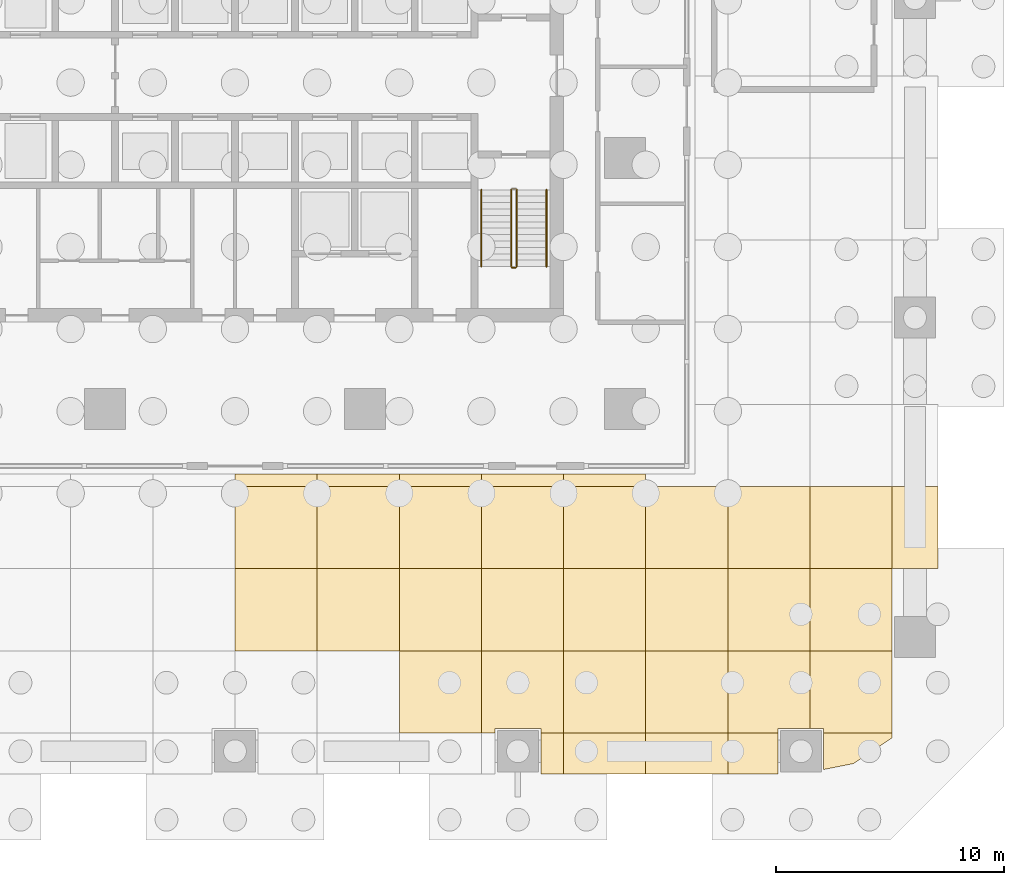
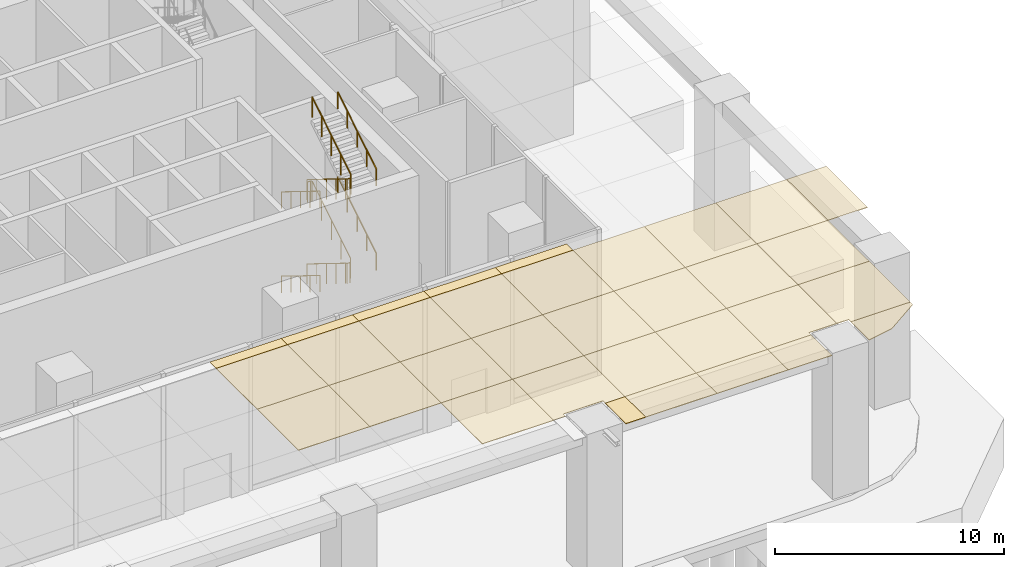
# One storey, part 13 of 18: 33 coverings, 8 railings.
"""IFC4 building model written with IfcOpenShell, lengths in metres."""

import ifcopenshell
import ifcopenshell.guid

model = None  # the IFC model being written
_history = None  # IfcOwnerHistory: only IFC2X3 demands one
_inside = {}  # id of a spatial element -> (the spatial element, [elements in it])
_under = {}  # id of a project, library or spatial element -> (it, [spatial elements below it])
_declared = {}  # id of a project -> (the project, [libraries it declares])
_typed = {}  # id of a type object -> (the type object, [elements of that type])
_made_of = {}  # id of a material, layer set ... -> (it, [elements and type objects made of it])


def new_model(schema):
    """Start an empty IFC model of exactly this schema.

    Asked for "IFC4X3", IfcOpenShell would pick the latest addendum, in which some entities
    have other attributes; the version numbers below select the first issue.
    IFC2X3 requires an IfcOwnerHistory on every rooted entity: one is made here for all.
    """
    global model, _history
    if schema == "IFC4X3":
        model = ifcopenshell.file(schema_version=(4, 3, 0, 0))
    else:
        model = ifcopenshell.file(schema=schema)
    _inside.clear()
    _under.clear()
    _declared.clear()
    _typed.clear()
    _made_of.clear()
    _history = None
    if model.schema == "IFC2X3":
        org = make("IfcOrganization", Name="unknown")
        user = make(
            "IfcPersonAndOrganization",
            ThePerson=make("IfcPerson", FamilyName="unknown"),
            TheOrganization=org,
        )
        app = make(
            "IfcApplication",
            ApplicationDeveloper=org,
            Version="unknown",
            ApplicationFullName="unknown",
            ApplicationIdentifier="unknown",
        )
        _history = make(
            "IfcOwnerHistory",
            OwningUser=user,
            OwningApplication=app,
            ChangeAction="ADDED",
            CreationDate=0,
        )
    return model


def make(cls, **values):
    """One entity of the class cls with the attributes given. An attribute that is None is left unset."""
    return model.create_entity(
        cls, **{name: value for name, value in values.items() if value is not None}
    )


def rooted(cls, **values):
    """An entity with a GlobalId (a new one), such as an element, a storey or a relation."""
    return make(cls, GlobalId=ifcopenshell.guid.new(), OwnerHistory=_history, **values)


def si_unit(unit_type, name, prefix=None):
    """IfcSIUnit, for example si_unit("LENGTHUNIT", "METRE", prefix="MILLI")."""
    return make("IfcSIUnit", UnitType=unit_type, Prefix=prefix, Name=name)


def assignment(units):
    """IfcUnitAssignment: the units of a project."""
    return None if units is None else make("IfcUnitAssignment", Units=units)


def point(xyz):
    """IfcCartesianPoint."""
    return None if xyz is None else make("IfcCartesianPoint", Coordinates=xyz)


def direction(xyz):
    """IfcDirection."""
    return None if xyz is None else make("IfcDirection", DirectionRatios=xyz)


def frame(location, z_axis=None, x_axis=None):
    """IfcAxis2Placement3D, a coordinate frame: its origin and axes. An axis left out is left unset."""
    return make(
        "IfcAxis2Placement3D",
        Location=point(location),
        Axis=direction(z_axis),
        RefDirection=direction(x_axis),
    )


def frame_2d(location, x_axis=None):
    """IfcAxis2Placement2D, a coordinate frame in the plane: its origin and x axis."""
    return make(
        "IfcAxis2Placement2D", Location=point(location), RefDirection=direction(x_axis)
    )


def origin():
    """The frame at (0, 0, 0) with its axes left unset."""
    return frame((0.0, 0.0, 0.0))


def origin_2d():
    """The frame at (0, 0) in the plane with its x axis left unset."""
    return frame_2d((0.0, 0.0))


def place(relative_to, where):
    """IfcLocalPlacement: puts the frame where relative to a parent placement (None: the world)."""
    return make(
        "IfcLocalPlacement", PlacementRelTo=relative_to, RelativePlacement=where
    )


def context(
    kind, dimensions, precision=None, world=None, true_north=None, identifier=None
):
    """IfcGeometricRepresentationContext, for example the 3D "Model" context."""
    return make(
        "IfcGeometricRepresentationContext",
        ContextIdentifier=identifier,
        ContextType=kind,
        CoordinateSpaceDimension=dimensions,
        Precision=precision,
        WorldCoordinateSystem=world,
        TrueNorth=true_north,
    )


def subcontext(parent, identifier, kind, view, scale=None):
    """IfcGeometricRepresentationSubContext, for example "Body" below "Model"."""
    return make(
        "IfcGeometricRepresentationSubContext",
        ContextIdentifier=identifier,
        ContextType=kind,
        ParentContext=parent,
        TargetScale=scale,
        TargetView=view,
    )


def project(units=None, contexts=None):
    """IfcProject with its units and contexts."""
    return rooted(
        "IfcProject",
        Name="project",
        RepresentationContexts=contexts,
        UnitsInContext=assignment(units),
    )


def spatial(cls, under=None, at=None, **own):
    """A site, building, storey or space (cls), placed at a placement, below another one or the project."""
    s = rooted(cls, ObjectPlacement=at, **own)
    if under is not None:
        _under.setdefault(under.id(), (under, []))[1].append(s)
    return s


def polyline(points):
    """IfcPolyline through the points."""
    return make("IfcPolyline", Points=[point(p) for p in points])


def profile(cls, at=None, kind="AREA", **sizes):
    """A parametric profile (cls). Its sizes go by their IFC names, for example OverallWidth=200.0."""
    return make(cls, ProfileType=kind, Position=at, **sizes)


def circle(**sizes):
    """IfcCircleProfileDef."""
    return profile("IfcCircleProfileDef", **sizes)


def outline(outer, holes=None, kind="AREA"):
    """IfcArbitraryClosedProfileDef: a profile drawn as a closed curve; with holes, ...WithVoids."""
    if holes is None:
        return make("IfcArbitraryClosedProfileDef", ProfileType=kind, OuterCurve=outer)
    return make(
        "IfcArbitraryProfileDefWithVoids",
        ProfileType=kind,
        OuterCurve=outer,
        InnerCurves=holes,
    )


def extrude(swept, where, along, depth):
    """IfcExtrudedAreaSolid: the profile swept, set in the frame where, extruded along a direction by depth."""
    return make(
        "IfcExtrudedAreaSolid",
        SweptArea=swept,
        Position=where,
        ExtrudedDirection=direction(along),
        Depth=depth,
    )


def shape(context_of_items, identifier, shape_type, items):
    """IfcShapeRepresentation: the items that make up one representation, for example the "Body"."""
    return make(
        "IfcShapeRepresentation",
        ContextOfItems=context_of_items,
        RepresentationIdentifier=identifier,
        RepresentationType=shape_type,
        Items=items,
    )


def material(Name=None, Category=None):
    """IfcMaterial."""
    return make("IfcMaterial", Name=Name, Category=Category)


def layer(
    of_material, thickness, ventilated=None, Name=None, Category=None, Priority=None
):
    """IfcMaterialLayer: one layer of a wall or slab, of a material (None: an air gap)."""
    return make(
        "IfcMaterialLayer",
        Material=of_material,
        LayerThickness=thickness,
        IsVentilated=ventilated,
        Name=Name,
        Category=Category,
        Priority=Priority,
    )


def layer_set(layers, Name=None):
    """IfcMaterialLayerSet."""
    return make("IfcMaterialLayerSet", MaterialLayers=layers, LayerSetName=Name)


def made_of(thing, what):
    """Note that an element or type object is made of a material, layer set ...; save() writes the relation."""
    if what is not None:
        _made_of.setdefault(what.id(), (what, []))[1].append(thing)
    return thing


def type_object(cls, material=None, **own):
    """A type object (cls), such as IfcWallType, which elements share."""
    return made_of(rooted(cls, **own), material)


def element(
    cls,
    number,
    at=None,
    inside=None,
    cuts=None,
    type_object=None,
    material=None,
    context=None,
    identifier="Body",
    shape_type=None,
    held_by="IfcProductDefinitionShape",
    body=None,
    shapes=None,
    **own,
):
    """One element of the class cls, such as IfcWall. Its Tag is "e" and its number.

    at: its placement. inside: the storey or other place that contains it. cuts: it is an
    opening in that element (IfcRelVoidsElement). A single representation is given by context,
    identifier, shape_type and body (its items); several are given by shapes. held_by: the class
    of the entity that holds the representations. save() writes the other relations.
    """
    e = rooted(cls, Tag="e%d" % number, ObjectPlacement=at, **own)
    if body is not None:
        shapes = [shape(context, identifier, shape_type, body)]
    if shapes is not None:
        e.Representation = make(held_by, Representations=shapes)
    if inside is not None:
        _inside.setdefault(inside.id(), (inside, []))[1].append(e)
    if cuts is not None:
        rooted(
            "IfcRelVoidsElement", RelatingBuildingElement=cuts, RelatedOpeningElement=e
        )
    if type_object is not None:
        _typed.setdefault(type_object.id(), (type_object, []))[1].append(e)
    return made_of(e, material)


def aggregate(whole, parts):
    """IfcRelAggregates: a whole, such as a stair, and the parts it consists of."""
    return rooted("IfcRelAggregates", RelatingObject=whole, RelatedObjects=parts)


def save(model, path):
    """Write the relations noted so far, then the file.

    IfcRelAggregates (storeys below a building ...), IfcRelContainedInSpatialStructure (elements
    in a storey), IfcRelDefinesByType, IfcRelAssociatesMaterial and IfcRelDeclares: one each for
    every whole, place, type object, material and project.
    """
    for whole, parts in _under.values():
        aggregate(whole, parts)
    for where, things in _inside.values():
        rooted(
            "IfcRelContainedInSpatialStructure",
            RelatedElements=things,
            RelatingStructure=where,
        )
    for kind, things in _typed.values():
        rooted("IfcRelDefinesByType", RelatedObjects=things, RelatingType=kind)
    for what, things in _made_of.values():
        rooted("IfcRelAssociatesMaterial", RelatedObjects=things, RelatingMaterial=what)
    for by, libraries in _declared.values():
        rooted("IfcRelDeclares", RelatingContext=by, RelatedDefinitions=libraries)
    model.write(path)


model = new_model("IFC4")

# Units and contexts
model_context = context("Model", 3, precision=1e-05, world=origin(), true_north=direction((0.0, 1.0)))
body_context = subcontext(model_context, "Body", "Model", "MODEL_VIEW")
ifc_project = project(units=[si_unit("LENGTHUNIT", "METRE"), si_unit("AREAUNIT", "SQUARE_METRE"), si_unit("VOLUMEUNIT", "CUBIC_METRE"), si_unit("PLANEANGLEUNIT", "RADIAN"), si_unit("MASSUNIT", "GRAM", prefix="KILO")], contexts=[model_context])

# Site, building, storey
site_placement = place(None, origin())
site = spatial("IfcSite", under=ifc_project, at=site_placement, CompositionType="ELEMENT")
building_placement = place(site_placement, origin())
building = spatial("IfcBuilding", under=site, at=building_placement, Name="Mopane Tessera Tower", CompositionType="ELEMENT")
storey_placement = place(building_placement, origin())
storey = spatial("IfcBuildingStorey", under=building, at=storey_placement, Name="L00", CompositionType="ELEMENT", Elevation=0.0)

# Railings
ifc_material_1 = material(Name="Powder-coated steel balustrade", Category="steel")
railing_type_1 = type_object("IfcRailingType", Name="Escape stair guard 1100 mm", PredefinedType="GUARDRAIL", material=ifc_material_1)
railing_1_placement = place(storey_placement, frame((12.10009765625, -1.39990234375, 0.173095703125)))
element("IfcRailing", 1, at=railing_1_placement, inside=storey, type_object=railing_type_1, Name="L00 ST3 stair guard 1", PredefinedType="GUARDRAIL", context=body_context, shape_type="SweptSolid", body=[
    extrude(circle(Radius=0.02392578125, at=origin_2d()), frame((0.0, 0.0, 1.076171875), z_axis=(0.0, -0.850623216509, 0.525775754039), x_axis=(1.0, 0.0, 0.0)), (0.0, 0.0, 1.0), 3.9501953125),
    extrude(circle(Radius=0.02392578125, at=origin_2d()), frame((0.0, -3.360107421875, 3.15283203125), z_axis=(0.705375805398, -0.708833529934, 0.0), x_axis=(0.708833529934, 0.705375805398, 0.0)), (0.0, 0.0, 1.0), 0.070556640625),
    extrude(circle(Radius=0.02392578125, at=origin_2d()), frame((0.0498046875, -3.41015625, 3.15283203125), z_axis=(1.0, 0.0, 0.0), x_axis=(0.0, 1.0, 0.0)), (0.0, 0.0, 1.0), 0.150146484375),
    extrude(circle(Radius=0.02099609375, at=origin_2d()), origin(), (0.0, 0.0, 1.0), 1.052001953125),
    extrude(circle(Radius=0.02099609375, at=origin_2d()), frame((0.0, -0.840087890625, 0.519287109375)), (0.0, 0.0, 1.0), 1.052001953125),
    extrude(circle(Radius=0.02099609375, at=origin_2d()), frame((0.0, -1.68017578125, 1.03857421875)), (0.0, 0.0, 1.0), 1.052001953125),
    extrude(circle(Radius=0.02099609375, at=origin_2d()), frame((0.0, -2.52001953125, 1.5576171875)), (0.0, 0.0, 1.0), 1.052001953125),
    extrude(circle(Radius=0.02099609375, at=origin_2d()), frame((0.0, -3.360107421875, 2.076904296875)), (0.0, 0.0, 1.0), 1.052001953125),
    extrude(circle(Radius=0.02099609375, at=origin_2d()), frame((0.0498046875, -3.41015625, 2.076904296875)), (0.0, 0.0, 1.0), 1.052001953125),
    extrude(circle(Radius=0.02099609375, at=origin_2d()), frame((0.199951171875, -3.41015625, 2.076904296875)), (0.0, 0.0, 1.0), 1.052001953125),
])
railing_2_placement = place(storey_placement, frame((12.35009765625, -4.760009765625, 2.423095703125)))
element("IfcRailing", 2, at=railing_2_placement, inside=storey, type_object=railing_type_1, Name="L00 ST3 stair guard 2", PredefinedType="GUARDRAIL", context=body_context, shape_type="SweptSolid", body=[
    extrude(circle(Radius=0.02392578125, at=origin_2d()), frame((0.0, 0.0, 1.076171875), z_axis=(0.0, 0.850623216509, 0.525775754039), x_axis=(-1.0, 0.0, 0.0)), (0.0, 0.0, 1.0), 3.9501953125),
    extrude(circle(Radius=0.02392578125, at=origin_2d()), frame((0.0, 3.360107421875, 3.15283203125), z_axis=(-0.708833529934, 0.705375805398, 0.0), x_axis=(-0.705375805398, -0.708833529934, 0.0)), (0.0, 0.0, 1.0), 0.070556640625),
    extrude(circle(Radius=0.02392578125, at=origin_2d()), frame((-0.050048828125, 3.409912109375, 3.15283203125), z_axis=(-1.0, 0.0, 0.0), x_axis=(0.0, -1.0, 0.0)), (0.0, 0.0, 1.0), 0.150146484375),
    extrude(circle(Radius=0.02099609375, at=origin_2d()), origin(), (0.0, 0.0, 1.0), 1.052001953125),
    extrude(circle(Radius=0.02099609375, at=origin_2d()), frame((0.0, 0.840087890625, 0.519287109375)), (0.0, 0.0, 1.0), 1.052001953125),
    extrude(circle(Radius=0.02099609375, at=origin_2d()), frame((0.0, 1.68017578125, 1.03857421875)), (0.0, 0.0, 1.0), 1.052001953125),
    extrude(circle(Radius=0.02099609375, at=origin_2d()), frame((0.0, 2.52001953125, 1.5576171875)), (0.0, 0.0, 1.0), 1.052001953125),
    extrude(circle(Radius=0.02099609375, at=origin_2d()), frame((0.0, 3.360107421875, 2.076904296875)), (0.0, 0.0, 1.0), 1.052001953125),
    extrude(circle(Radius=0.02099609375, at=origin_2d()), frame((-0.050048828125, 3.409912109375, 2.076904296875)), (0.0, 0.0, 1.0), 1.052001953125),
    extrude(circle(Radius=0.02099609375, at=origin_2d()), frame((-0.2001953125, 3.409912109375, 2.076904296875)), (0.0, 0.0, 1.0), 1.052001953125),
])
railing_3_placement = place(storey_placement, frame((12.10009765625, -1.39990234375, 4.673095703125)))
element("IfcRailing", 3, at=railing_3_placement, inside=storey, type_object=railing_type_1, Name="L00 ST3 stair guard 3", PredefinedType="GUARDRAIL", context=body_context, shape_type="SweptSolid", body=[
    extrude(circle(Radius=0.02392578125, at=origin_2d()), frame((0.0, 0.0, 1.076171875), z_axis=(0.0, -0.850623216509, 0.525775754039), x_axis=(1.0, 0.0, 0.0)), (0.0, 0.0, 1.0), 3.9501953125),
    extrude(circle(Radius=0.02392578125, at=origin_2d()), frame((0.0, -3.360107421875, 3.15283203125), z_axis=(0.705375805398, -0.708833529934, 0.0), x_axis=(0.708833529934, 0.705375805398, 0.0)), (0.0, 0.0, 1.0), 0.070556640625),
    extrude(circle(Radius=0.02392578125, at=origin_2d()), frame((0.0498046875, -3.41015625, 3.15283203125), z_axis=(1.0, 0.0, 0.0), x_axis=(0.0, 1.0, 0.0)), (0.0, 0.0, 1.0), 0.150146484375),
    extrude(circle(Radius=0.02099609375, at=origin_2d()), origin(), (0.0, 0.0, 1.0), 1.052001953125),
    extrude(circle(Radius=0.02099609375, at=origin_2d()), frame((0.0, -0.840087890625, 0.519287109375)), (0.0, 0.0, 1.0), 1.052001953125),
    extrude(circle(Radius=0.02099609375, at=origin_2d()), frame((0.0, -1.68017578125, 1.03857421875)), (0.0, 0.0, 1.0), 1.052001953125),
    extrude(circle(Radius=0.02099609375, at=origin_2d()), frame((0.0, -2.52001953125, 1.5576171875)), (0.0, 0.0, 1.0), 1.052001953125),
    extrude(circle(Radius=0.02099609375, at=origin_2d()), frame((0.0, -3.360107421875, 2.076904296875)), (0.0, 0.0, 1.0), 1.052001953125),
    extrude(circle(Radius=0.02099609375, at=origin_2d()), frame((0.0498046875, -3.41015625, 2.076904296875)), (0.0, 0.0, 1.0), 1.052001953125),
    extrude(circle(Radius=0.02099609375, at=origin_2d()), frame((0.199951171875, -3.41015625, 2.076904296875)), (0.0, 0.0, 1.0), 1.052001953125),
])
railing_4_placement = place(storey_placement, frame((12.35009765625, -4.760009765625, 6.923095703125)))
element("IfcRailing", 4, at=railing_4_placement, inside=storey, type_object=railing_type_1, Name="L00 ST3 stair guard 4", PredefinedType="GUARDRAIL", context=body_context, shape_type="SweptSolid", body=[
    extrude(circle(Radius=0.02392578125, at=origin_2d()), frame((0.0, 0.0, 1.076171875), z_axis=(0.0, 0.850623216509, 0.525775754039), x_axis=(-1.0, 0.0, 0.0)), (0.0, 0.0, 1.0), 3.9501953125),
    extrude(circle(Radius=0.02099609375, at=origin_2d()), origin(), (0.0, 0.0, 1.0), 1.052001953125),
    extrude(circle(Radius=0.02099609375, at=origin_2d()), frame((0.0, 0.840087890625, 0.519287109375)), (0.0, 0.0, 1.0), 1.052001953125),
    extrude(circle(Radius=0.02099609375, at=origin_2d()), frame((0.0, 1.68017578125, 1.03857421875)), (0.0, 0.0, 1.0), 1.052001953125),
    extrude(circle(Radius=0.02099609375, at=origin_2d()), frame((0.0, 2.52001953125, 1.5576171875)), (0.0, 0.0, 1.0), 1.052001953125),
    extrude(circle(Radius=0.02099609375, at=origin_2d()), frame((0.0, 3.360107421875, 2.076904296875)), (0.0, 0.0, 1.0), 1.052001953125),
])
ifc_material_2 = material(Name="Powder-coated steel balustrade", Category="steel")
railing_type_2 = type_object("IfcRailingType", Name="Escape stair handrail 900 mm", PredefinedType="HANDRAIL", material=ifc_material_2)
railing_5_placement = place(storey_placement, frame((10.800048828125, -1.39990234375, 0.173095703125)))
element("IfcRailing", 5, at=railing_5_placement, inside=storey, type_object=railing_type_2, Name="L00 ST3 stair handrail 1", PredefinedType="HANDRAIL", context=body_context, shape_type="SweptSolid", body=[
    extrude(circle(Radius=0.02392578125, at=origin_2d()), frame((0.0, 0.0, 0.8759765625), z_axis=(0.0, -0.850623216509, 0.525775754039), x_axis=(1.0, 0.0, 0.0)), (0.0, 0.0, 1.0), 3.9501953125),
    extrude(circle(Radius=0.02099609375, at=origin_2d()), origin(), (0.0, 0.0, 1.0), 0.851806640625),
    extrude(circle(Radius=0.02099609375, at=origin_2d()), frame((0.0, -0.840087890625, 0.519287109375)), (0.0, 0.0, 1.0), 0.851806640625),
    extrude(circle(Radius=0.02099609375, at=origin_2d()), frame((0.0, -1.68017578125, 1.03857421875)), (0.0, 0.0, 1.0), 0.851806640625),
    extrude(circle(Radius=0.02099609375, at=origin_2d()), frame((0.0, -2.52001953125, 1.5576171875)), (0.0, 0.0, 1.0), 0.851806640625),
    extrude(circle(Radius=0.02099609375, at=origin_2d()), frame((0.0, -3.360107421875, 2.076904296875)), (0.0, 0.0, 1.0), 0.851806640625),
])
railing_6_placement = place(storey_placement, frame((13.64990234375, -4.760009765625, 2.423095703125)))
element("IfcRailing", 6, at=railing_6_placement, inside=storey, type_object=railing_type_2, Name="L00 ST3 stair handrail 2", PredefinedType="HANDRAIL", context=body_context, shape_type="SweptSolid", body=[
    extrude(circle(Radius=0.02392578125, at=origin_2d()), frame((0.0, 0.0, 0.8759765625), z_axis=(0.0, 0.850623216509, 0.525775754039), x_axis=(-1.0, 0.0, 0.0)), (0.0, 0.0, 1.0), 3.9501953125),
    extrude(circle(Radius=0.02099609375, at=origin_2d()), origin(), (0.0, 0.0, 1.0), 0.851806640625),
    extrude(circle(Radius=0.02099609375, at=origin_2d()), frame((0.0, 0.840087890625, 0.519287109375)), (0.0, 0.0, 1.0), 0.851806640625),
    extrude(circle(Radius=0.02099609375, at=origin_2d()), frame((0.0, 1.68017578125, 1.03857421875)), (0.0, 0.0, 1.0), 0.851806640625),
    extrude(circle(Radius=0.02099609375, at=origin_2d()), frame((0.0, 2.52001953125, 1.5576171875)), (0.0, 0.0, 1.0), 0.851806640625),
    extrude(circle(Radius=0.02099609375, at=origin_2d()), frame((0.0, 3.360107421875, 2.076904296875)), (0.0, 0.0, 1.0), 0.851806640625),
])
railing_7_placement = place(storey_placement, frame((10.800048828125, -1.39990234375, 4.673095703125)))
element("IfcRailing", 7, at=railing_7_placement, inside=storey, type_object=railing_type_2, Name="L00 ST3 stair handrail 3", PredefinedType="HANDRAIL", context=body_context, shape_type="SweptSolid", body=[
    extrude(circle(Radius=0.02392578125, at=origin_2d()), frame((0.0, 0.0, 0.8759765625), z_axis=(0.0, -0.850623216509, 0.525775754039), x_axis=(1.0, 0.0, 0.0)), (0.0, 0.0, 1.0), 3.9501953125),
    extrude(circle(Radius=0.02099609375, at=origin_2d()), origin(), (0.0, 0.0, 1.0), 0.851806640625),
    extrude(circle(Radius=0.02099609375, at=origin_2d()), frame((0.0, -0.840087890625, 0.519287109375)), (0.0, 0.0, 1.0), 0.851806640625),
    extrude(circle(Radius=0.02099609375, at=origin_2d()), frame((0.0, -1.68017578125, 1.03857421875)), (0.0, 0.0, 1.0), 0.851806640625),
    extrude(circle(Radius=0.02099609375, at=origin_2d()), frame((0.0, -2.52001953125, 1.5576171875)), (0.0, 0.0, 1.0), 0.851806640625),
    extrude(circle(Radius=0.02099609375, at=origin_2d()), frame((0.0, -3.360107421875, 2.076904296875)), (0.0, 0.0, 1.0), 0.851806640625),
])
railing_8_placement = place(storey_placement, frame((13.64990234375, -4.760009765625, 6.923095703125)))
element("IfcRailing", 8, at=railing_8_placement, inside=storey, type_object=railing_type_2, Name="L00 ST3 stair handrail 4", PredefinedType="HANDRAIL", context=body_context, shape_type="SweptSolid", body=[
    extrude(circle(Radius=0.02392578125, at=origin_2d()), frame((0.0, 0.0, 0.8759765625), z_axis=(0.0, 0.850623216509, 0.525775754039), x_axis=(-1.0, 0.0, 0.0)), (0.0, 0.0, 1.0), 3.9501953125),
    extrude(circle(Radius=0.02099609375, at=origin_2d()), origin(), (0.0, 0.0, 1.0), 0.851806640625),
    extrude(circle(Radius=0.02099609375, at=origin_2d()), frame((0.0, 0.840087890625, 0.519287109375)), (0.0, 0.0, 1.0), 0.851806640625),
    extrude(circle(Radius=0.02099609375, at=origin_2d()), frame((0.0, 1.68017578125, 1.03857421875)), (0.0, 0.0, 1.0), 0.851806640625),
    extrude(circle(Radius=0.02099609375, at=origin_2d()), frame((0.0, 2.52001953125, 1.5576171875)), (0.0, 0.0, 1.0), 0.851806640625),
    extrude(circle(Radius=0.02099609375, at=origin_2d()), frame((0.0, 3.360107421875, 2.076904296875)), (0.0, 0.0, 1.0), 0.851806640625),
])

# Coverings
ifc_material_3 = material(Name="Glazed ceramic tile")
ifc_layer = layer(ifc_material_3, 0.030029296875)
ifc_layer_set = layer_set([ifc_layer], Name="Glazed ceramic tile")
covering_type = type_object("IfcCoveringType", Name="Glazed tile soffit panel 3600 x 3600", PredefinedType="CEILING", material=ifc_layer_set)
covering_1_placement = place(storey_placement, frame((0.0, 0.0, 7.77001953125)))
element("IfcCovering", 9, at=covering_1_placement, inside=storey, type_object=covering_type, Name="e:tl:0:-6:0", PredefinedType="CEILING", context=body_context, shape_type="SweptSolid", body=[
    extrude(outline(polyline([(0.0, -21.60009765625), (0.0, -18.0), (3.60009765625, -18.0), (3.60009765625, -21.60009765625), (0.0, -21.60009765625)])), origin(), (0.0, 0.0, 1.0), 0.030029296875),
])
covering_2_placement = place(storey_placement, frame((0.0, 0.0, 7.77001953125)))
element("IfcCovering", 10, at=covering_2_placement, inside=storey, type_object=covering_type, Name="e:tl:0:-5:0", PredefinedType="CEILING", context=body_context, shape_type="SweptSolid", body=[
    extrude(outline(polyline([(0.0, -18.0), (0.0, -14.39990234375), (3.60009765625, -14.39990234375), (3.60009765625, -18.0), (0.0, -18.0)])), origin(), (0.0, 0.0, 1.0), 0.030029296875),
])
covering_3_placement = place(storey_placement, frame((0.0, 0.0, 7.77001953125)))
element("IfcCovering", 11, at=covering_3_placement, inside=storey, type_object=covering_type, Name="e:tl:0:-4:0", PredefinedType="CEILING", context=body_context, shape_type="SweptSolid", body=[
    extrude(outline(polyline([(3.60009765625, -13.85009765625), (3.60009765625, -14.39990234375), (0.0, -14.39990234375), (0.0, -13.85009765625), (3.60009765625, -13.85009765625)])), origin(), (0.0, 0.0, 1.0), 0.030029296875),
])
covering_4_placement = place(storey_placement, frame((0.0, 0.0, 7.77001953125)))
element("IfcCovering", 12, at=covering_4_placement, inside=storey, type_object=covering_type, Name="e:tl:1:-6:0", PredefinedType="CEILING", context=body_context, shape_type="SweptSolid", body=[
    extrude(outline(polyline([(3.60009765625, -21.60009765625), (3.60009765625, -18.0), (7.199951171875, -18.0), (7.199951171875, -21.60009765625), (3.60009765625, -21.60009765625)])), origin(), (0.0, 0.0, 1.0), 0.030029296875),
])
covering_5_placement = place(storey_placement, frame((0.0, 0.0, 7.77001953125)))
element("IfcCovering", 13, at=covering_5_placement, inside=storey, type_object=covering_type, Name="e:tl:1:-5:0", PredefinedType="CEILING", context=body_context, shape_type="SweptSolid", body=[
    extrude(outline(polyline([(3.60009765625, -18.0), (3.60009765625, -14.39990234375), (7.199951171875, -14.39990234375), (7.199951171875, -18.0), (3.60009765625, -18.0)])), origin(), (0.0, 0.0, 1.0), 0.030029296875),
])
covering_6_placement = place(storey_placement, frame((0.0, 0.0, 7.77001953125)))
element("IfcCovering", 14, at=covering_6_placement, inside=storey, type_object=covering_type, Name="e:tl:1:-4:0", PredefinedType="CEILING", context=body_context, shape_type="SweptSolid", body=[
    extrude(outline(polyline([(7.199951171875, -13.85009765625), (7.199951171875, -14.39990234375), (3.60009765625, -14.39990234375), (3.60009765625, -13.85009765625), (7.199951171875, -13.85009765625)])), origin(), (0.0, 0.0, 1.0), 0.030029296875),
])
covering_7_placement = place(storey_placement, frame((0.0, 0.0, 7.77001953125)))
element("IfcCovering", 15, at=covering_7_placement, inside=storey, type_object=covering_type, Name="e:tl:2:-7:0", PredefinedType="CEILING", context=body_context, shape_type="SweptSolid", body=[
    extrude(outline(polyline([(7.199951171875, -25.199951171875), (7.199951171875, -21.60009765625), (10.800048828125, -21.60009765625), (10.800048828125, -25.199951171875), (7.199951171875, -25.199951171875)])), origin(), (0.0, 0.0, 1.0), 0.030029296875),
])
covering_8_placement = place(storey_placement, frame((0.0, 0.0, 7.77001953125)))
element("IfcCovering", 16, at=covering_8_placement, inside=storey, type_object=covering_type, Name="e:tl:2:-6:0", PredefinedType="CEILING", context=body_context, shape_type="SweptSolid", body=[
    extrude(outline(polyline([(7.199951171875, -21.60009765625), (7.199951171875, -18.0), (10.800048828125, -18.0), (10.800048828125, -21.60009765625), (7.199951171875, -21.60009765625)])), origin(), (0.0, 0.0, 1.0), 0.030029296875),
])
covering_9_placement = place(storey_placement, frame((0.0, 0.0, 7.77001953125)))
element("IfcCovering", 17, at=covering_9_placement, inside=storey, type_object=covering_type, Name="e:tl:2:-5:0", PredefinedType="CEILING", context=body_context, shape_type="SweptSolid", body=[
    extrude(outline(polyline([(7.199951171875, -18.0), (7.199951171875, -14.39990234375), (10.800048828125, -14.39990234375), (10.800048828125, -18.0), (7.199951171875, -18.0)])), origin(), (0.0, 0.0, 1.0), 0.030029296875),
])
covering_10_placement = place(storey_placement, frame((0.0, 0.0, 7.77001953125)))
element("IfcCovering", 18, at=covering_10_placement, inside=storey, type_object=covering_type, Name="e:tl:2:-4:0", PredefinedType="CEILING", context=body_context, shape_type="SweptSolid", body=[
    extrude(outline(polyline([(10.800048828125, -13.85009765625), (10.800048828125, -14.39990234375), (7.199951171875, -14.39990234375), (7.199951171875, -13.85009765625), (10.800048828125, -13.85009765625)])), origin(), (0.0, 0.0, 1.0), 0.030029296875),
])
covering_11_placement = place(storey_placement, frame((0.0, 0.0, 7.77001953125)))
element("IfcCovering", 19, at=covering_11_placement, inside=storey, type_object=covering_type, Name="e:tl:3:-8:0", PredefinedType="CEILING", context=body_context, shape_type="SweptSolid", body=[
    extrude(outline(polyline([(13.39990234375, -27.0), (13.39990234375, -25.199951171875), (14.39990234375, -25.199951171875), (14.39990234375, -27.0), (13.39990234375, -27.0)])), origin(), (0.0, 0.0, 1.0), 0.030029296875),
])
covering_12_placement = place(storey_placement, frame((0.0, 0.0, 7.77001953125)))
element("IfcCovering", 20, at=covering_12_placement, inside=storey, type_object=covering_type, Name="e:tl:3:-7:0", PredefinedType="CEILING", context=body_context, shape_type="SweptSolid", body=[
    extrude(outline(polyline([(13.39990234375, -25.0), (11.39990234375, -25.0), (11.39990234375, -25.199951171875), (10.800048828125, -25.199951171875), (10.800048828125, -21.60009765625), (14.39990234375, -21.60009765625), (14.39990234375, -25.199951171875), (13.39990234375, -25.199951171875), (13.39990234375, -25.0)])), origin(), (0.0, 0.0, 1.0), 0.030029296875),
])
covering_13_placement = place(storey_placement, frame((0.0, 0.0, 7.77001953125)))
element("IfcCovering", 21, at=covering_13_placement, inside=storey, type_object=covering_type, Name="e:tl:3:-6:0", PredefinedType="CEILING", context=body_context, shape_type="SweptSolid", body=[
    extrude(outline(polyline([(10.800048828125, -21.60009765625), (10.800048828125, -18.0), (14.39990234375, -18.0), (14.39990234375, -21.60009765625), (10.800048828125, -21.60009765625)])), origin(), (0.0, 0.0, 1.0), 0.030029296875),
])
covering_14_placement = place(storey_placement, frame((0.0, 0.0, 7.77001953125)))
element("IfcCovering", 22, at=covering_14_placement, inside=storey, type_object=covering_type, Name="e:tl:3:-5:0", PredefinedType="CEILING", context=body_context, shape_type="SweptSolid", body=[
    extrude(outline(polyline([(10.800048828125, -18.0), (10.800048828125, -14.39990234375), (14.39990234375, -14.39990234375), (14.39990234375, -18.0), (10.800048828125, -18.0)])), origin(), (0.0, 0.0, 1.0), 0.030029296875),
])
covering_15_placement = place(storey_placement, frame((0.0, 0.0, 7.77001953125)))
element("IfcCovering", 23, at=covering_15_placement, inside=storey, type_object=covering_type, Name="e:tl:3:-4:0", PredefinedType="CEILING", context=body_context, shape_type="SweptSolid", body=[
    extrude(outline(polyline([(14.39990234375, -13.85009765625), (14.39990234375, -14.39990234375), (10.800048828125, -14.39990234375), (10.800048828125, -13.85009765625), (14.39990234375, -13.85009765625)])), origin(), (0.0, 0.0, 1.0), 0.030029296875),
])
covering_16_placement = place(storey_placement, frame((0.0, 0.0, 7.77001953125)))
element("IfcCovering", 24, at=covering_16_placement, inside=storey, type_object=covering_type, Name="e:tl:4:-8:0", PredefinedType="CEILING", context=body_context, shape_type="SweptSolid", body=[
    extrude(outline(polyline([(14.39990234375, -27.0), (14.39990234375, -25.199951171875), (18.0, -25.199951171875), (18.0, -27.0), (14.39990234375, -27.0)])), origin(), (0.0, 0.0, 1.0), 0.030029296875),
])
covering_17_placement = place(storey_placement, frame((0.0, 0.0, 7.77001953125)))
element("IfcCovering", 25, at=covering_17_placement, inside=storey, type_object=covering_type, Name="e:tl:4:-7:0", PredefinedType="CEILING", context=body_context, shape_type="SweptSolid", body=[
    extrude(outline(polyline([(14.39990234375, -25.199951171875), (14.39990234375, -21.60009765625), (18.0, -21.60009765625), (18.0, -25.199951171875), (14.39990234375, -25.199951171875)])), origin(), (0.0, 0.0, 1.0), 0.030029296875),
])
covering_18_placement = place(storey_placement, frame((0.0, 0.0, 7.77001953125)))
element("IfcCovering", 26, at=covering_18_placement, inside=storey, type_object=covering_type, Name="e:tl:4:-6:0", PredefinedType="CEILING", context=body_context, shape_type="SweptSolid", body=[
    extrude(outline(polyline([(14.39990234375, -21.60009765625), (14.39990234375, -18.0), (18.0, -18.0), (18.0, -21.60009765625), (14.39990234375, -21.60009765625)])), origin(), (0.0, 0.0, 1.0), 0.030029296875),
])
covering_19_placement = place(storey_placement, frame((0.0, 0.0, 7.77001953125)))
element("IfcCovering", 27, at=covering_19_placement, inside=storey, type_object=covering_type, Name="e:tl:4:-5:0", PredefinedType="CEILING", context=body_context, shape_type="SweptSolid", body=[
    extrude(outline(polyline([(14.39990234375, -18.0), (14.39990234375, -14.39990234375), (18.0, -14.39990234375), (18.0, -18.0), (14.39990234375, -18.0)])), origin(), (0.0, 0.0, 1.0), 0.030029296875),
])
covering_20_placement = place(storey_placement, frame((0.0, 0.0, 7.77001953125)))
element("IfcCovering", 28, at=covering_20_placement, inside=storey, type_object=covering_type, Name="e:tl:4:-4:0", PredefinedType="CEILING", context=body_context, shape_type="SweptSolid", body=[
    extrude(outline(polyline([(18.0, -13.85009765625), (18.0, -14.39990234375), (14.39990234375, -14.39990234375), (14.39990234375, -13.85009765625), (18.0, -13.85009765625)])), origin(), (0.0, 0.0, 1.0), 0.030029296875),
])
covering_21_placement = place(storey_placement, frame((0.0, 0.0, 7.77001953125)))
element("IfcCovering", 29, at=covering_21_placement, inside=storey, type_object=covering_type, Name="e:tl:5:-8:0", PredefinedType="CEILING", context=body_context, shape_type="SweptSolid", body=[
    extrude(outline(polyline([(18.0, -27.0), (18.0, -25.199951171875), (21.60009765625, -25.199951171875), (21.60009765625, -27.0), (18.0, -27.0)])), origin(), (0.0, 0.0, 1.0), 0.030029296875),
])
covering_22_placement = place(storey_placement, frame((0.0, 0.0, 7.77001953125)))
element("IfcCovering", 30, at=covering_22_placement, inside=storey, type_object=covering_type, Name="e:tl:5:-7:0", PredefinedType="CEILING", context=body_context, shape_type="SweptSolid", body=[
    extrude(outline(polyline([(18.0, -25.199951171875), (18.0, -21.60009765625), (21.60009765625, -21.60009765625), (21.60009765625, -25.199951171875), (18.0, -25.199951171875)])), origin(), (0.0, 0.0, 1.0), 0.030029296875),
])
covering_23_placement = place(storey_placement, frame((0.0, 0.0, 7.77001953125)))
element("IfcCovering", 31, at=covering_23_placement, inside=storey, type_object=covering_type, Name="e:tl:5:-6:0", PredefinedType="CEILING", context=body_context, shape_type="SweptSolid", body=[
    extrude(outline(polyline([(18.0, -21.60009765625), (18.0, -18.0), (21.60009765625, -18.0), (21.60009765625, -21.60009765625), (18.0, -21.60009765625)])), origin(), (0.0, 0.0, 1.0), 0.030029296875),
])
covering_24_placement = place(storey_placement, frame((0.0, 0.0, 7.77001953125)))
element("IfcCovering", 32, at=covering_24_placement, inside=storey, type_object=covering_type, Name="e:tl:5:-5:0", PredefinedType="CEILING", context=body_context, shape_type="SweptSolid", body=[
    extrude(outline(polyline([(18.0, -18.0), (18.0, -14.39990234375), (21.60009765625, -14.39990234375), (21.60009765625, -18.0), (18.0, -18.0)])), origin(), (0.0, 0.0, 1.0), 0.030029296875),
])
covering_25_placement = place(storey_placement, frame((0.0, 0.0, 7.77001953125)))
element("IfcCovering", 33, at=covering_25_placement, inside=storey, type_object=covering_type, Name="e:tl:6:-8:0", PredefinedType="CEILING", context=body_context, shape_type="SweptSolid", body=[
    extrude(outline(polyline([(23.800048828125, -27.0), (21.60009765625, -27.0), (21.60009765625, -25.199951171875), (23.800048828125, -25.199951171875), (23.800048828125, -27.0)])), origin(), (0.0, 0.0, 1.0), 0.030029296875),
])
covering_26_placement = place(storey_placement, frame((0.0, 0.0, 7.77001953125)))
element("IfcCovering", 34, at=covering_26_placement, inside=storey, type_object=covering_type, Name="e:tl:6:-7:0", PredefinedType="CEILING", context=body_context, shape_type="SweptSolid", body=[
    extrude(outline(polyline([(23.800048828125, -25.0), (23.800048828125, -25.199951171875), (21.60009765625, -25.199951171875), (21.60009765625, -21.60009765625), (25.199951171875, -21.60009765625), (25.199951171875, -25.0), (23.800048828125, -25.0)])), origin(), (0.0, 0.0, 1.0), 0.030029296875),
])
covering_27_placement = place(storey_placement, frame((0.0, 0.0, 7.77001953125)))
element("IfcCovering", 35, at=covering_27_placement, inside=storey, type_object=covering_type, Name="e:tl:6:-6:0", PredefinedType="CEILING", context=body_context, shape_type="SweptSolid", body=[
    extrude(outline(polyline([(21.60009765625, -21.60009765625), (21.60009765625, -18.0), (25.199951171875, -18.0), (25.199951171875, -21.60009765625), (21.60009765625, -21.60009765625)])), origin(), (0.0, 0.0, 1.0), 0.030029296875),
])
covering_28_placement = place(storey_placement, frame((0.0, 0.0, 7.77001953125)))
element("IfcCovering", 36, at=covering_28_placement, inside=storey, type_object=covering_type, Name="e:tl:6:-5:0", PredefinedType="CEILING", context=body_context, shape_type="SweptSolid", body=[
    extrude(outline(polyline([(21.60009765625, -18.0), (21.60009765625, -14.39990234375), (25.199951171875, -14.39990234375), (25.199951171875, -18.0), (21.60009765625, -18.0)])), origin(), (0.0, 0.0, 1.0), 0.030029296875),
])
covering_29_placement = place(storey_placement, frame((0.0, 0.0, 7.77001953125)))
element("IfcCovering", 37, at=covering_29_placement, inside=storey, type_object=covering_type, Name="e:tl:7:-8:0", PredefinedType="CEILING", context=body_context, shape_type="SweptSolid", body=[
    extrude(outline(polyline([(27.09619140625, -26.543212890625), (25.800048828125, -26.801025390625), (25.800048828125, -25.199951171875), (28.800048828125, -25.199951171875), (28.800048828125, -25.40478515625), (27.09619140625, -26.543212890625)])), origin(), (0.0, 0.0, 1.0), 0.030029296875),
])
covering_30_placement = place(storey_placement, frame((0.0, 0.0, 7.77001953125)))
element("IfcCovering", 38, at=covering_30_placement, inside=storey, type_object=covering_type, Name="e:tl:7:-7:0", PredefinedType="CEILING", context=body_context, shape_type="SweptSolid", body=[
    extrude(outline(polyline([(28.800048828125, -21.60009765625), (28.800048828125, -25.199951171875), (25.800048828125, -25.199951171875), (25.800048828125, -25.0), (25.199951171875, -25.0), (25.199951171875, -21.60009765625), (28.800048828125, -21.60009765625)])), origin(), (0.0, 0.0, 1.0), 0.030029296875),
])
covering_31_placement = place(storey_placement, frame((0.0, 0.0, 7.77001953125)))
element("IfcCovering", 39, at=covering_31_placement, inside=storey, type_object=covering_type, Name="e:tl:7:-6:0", PredefinedType="CEILING", context=body_context, shape_type="SweptSolid", body=[
    extrude(outline(polyline([(28.800048828125, -21.60009765625), (25.199951171875, -21.60009765625), (25.199951171875, -18.0), (28.800048828125, -18.0), (28.800048828125, -21.60009765625)])), origin(), (0.0, 0.0, 1.0), 0.030029296875),
])
covering_32_placement = place(storey_placement, frame((0.0, 0.0, 7.77001953125)))
element("IfcCovering", 40, at=covering_32_placement, inside=storey, type_object=covering_type, Name="e:tl:7:-5:0", PredefinedType="CEILING", context=body_context, shape_type="SweptSolid", body=[
    extrude(outline(polyline([(25.199951171875, -18.0), (25.199951171875, -14.39990234375), (28.800048828125, -14.39990234375), (28.800048828125, -18.0), (25.199951171875, -18.0)])), origin(), (0.0, 0.0, 1.0), 0.030029296875),
])
covering_33_placement = place(storey_placement, frame((0.0, 0.0, 7.77001953125)))
element("IfcCovering", 41, at=covering_33_placement, inside=storey, type_object=covering_type, Name="e:tl:8:-5:0", PredefinedType="CEILING", context=body_context, shape_type="SweptSolid", body=[
    extrude(outline(polyline([(30.800048828125, -18.0), (28.800048828125, -18.0), (28.800048828125, -14.39990234375), (30.800048828125, -14.39990234375), (30.800048828125, -18.0)])), origin(), (0.0, 0.0, 1.0), 0.030029296875),
])

save(model, "model.ifc")
